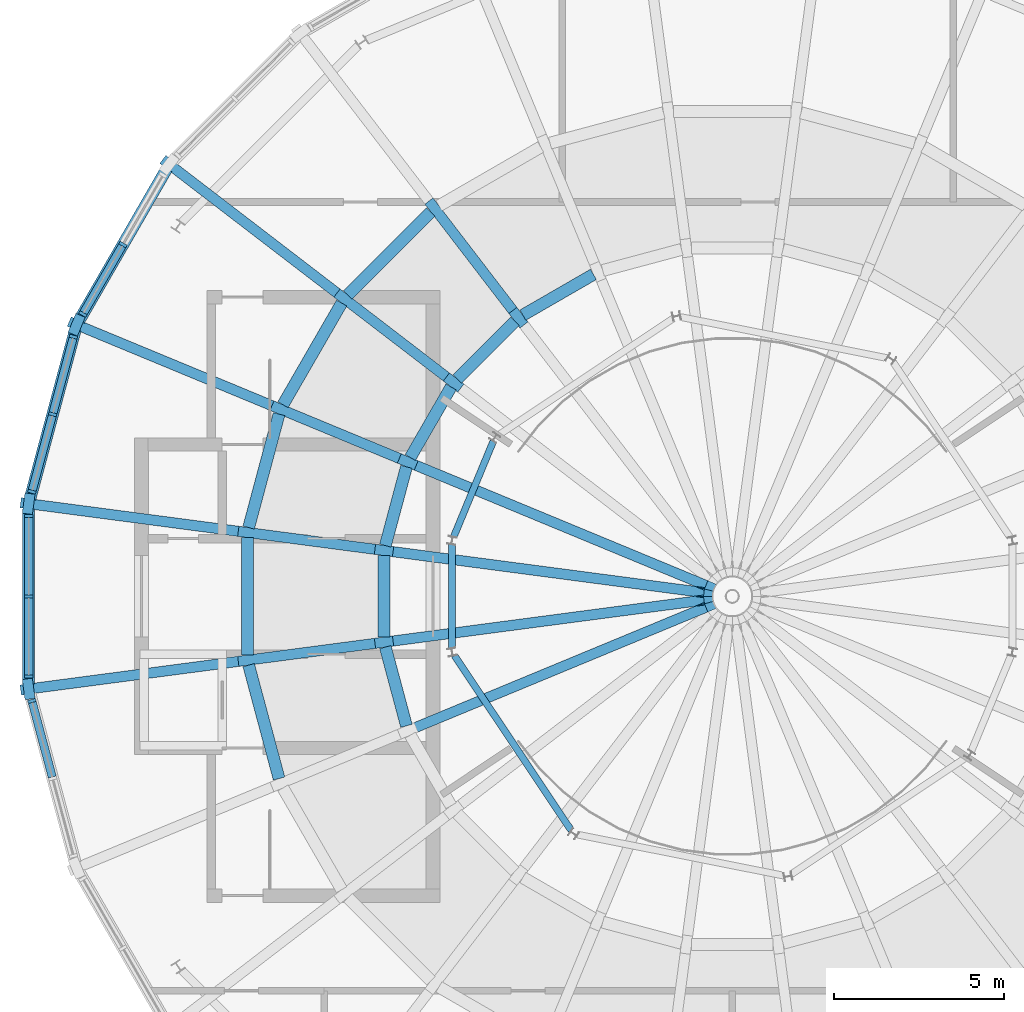
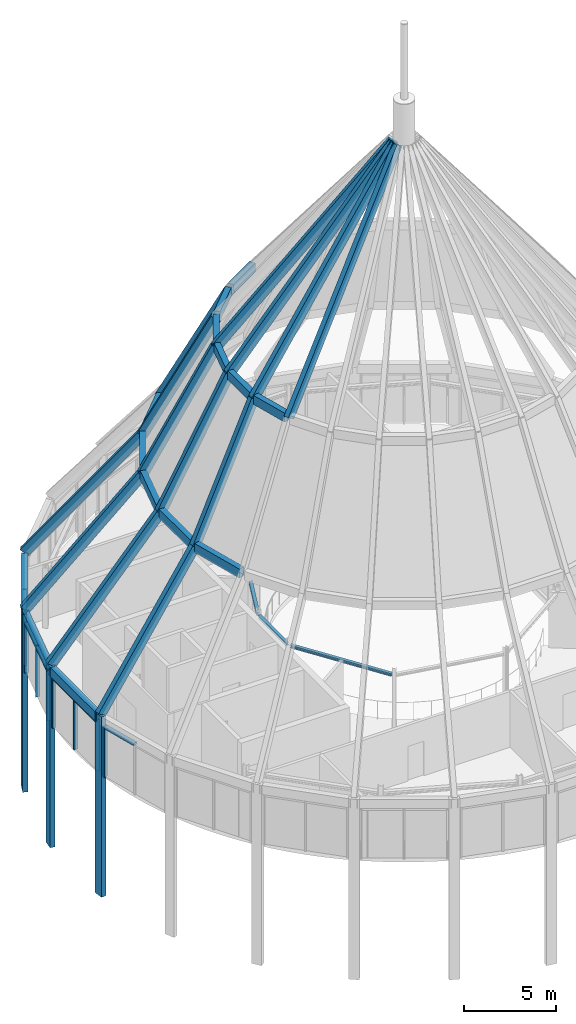
# One storey, part 6 of 16: 45 members, 3 beams, 4 elements without a shape of their own.
"""IFC4 building model written with IfcOpenShell, lengths in metres."""

from ifc_helpers import new_model, si_unit, direction, frame, origin, origin_2d, place, context, subcontext, project, spatial, rectangle, i_section, extrude, material, layer, layer_set, material_profile, profile_set, type_object, element, aggregate, save


model = new_model("IFC4")

# Units and contexts
model_context = context("Model", 3, precision=1e-05, world=origin(), true_north=direction((0.0, 1.0)))
body_context = subcontext(model_context, "Body", "Model", "MODEL_VIEW")
ifc_project = project(units=[si_unit("LENGTHUNIT", "METRE"), si_unit("AREAUNIT", "SQUARE_METRE"), si_unit("VOLUMEUNIT", "CUBIC_METRE"), si_unit("PLANEANGLEUNIT", "RADIAN"), si_unit("MASSUNIT", "GRAM", prefix="KILO")], contexts=[model_context])

# Site, building, storey
site_placement = place(None, origin())
site = spatial("IfcSite", under=ifc_project, at=site_placement, CompositionType="ELEMENT")
building_placement = place(site_placement, origin())
building = spatial("IfcBuilding", under=site, at=building_placement, Name="Maasbend Ring Residences", CompositionType="ELEMENT")
storey_placement = place(building_placement, frame((0.0, 0.0, 269.5)))
storey = spatial("IfcBuildingStorey", under=building, at=storey_placement, Name="L77", CompositionType="ELEMENT", Elevation=269.5)

# Members
ifc_material_1 = material(Name="Steel S355J2", Category="steel")
ifc_material_profile_1 = material_profile(ifc_material_1, rectangle(XDim=0.300048828125, YDim=0.60009765625, at=origin_2d()), Name="Box 300x600x12")
ifc_profile_set_1 = profile_set([ifc_material_profile_1], Name="Steel S355J2")
member_type_1 = type_object("IfcMemberType", Name="CROWN-RIB", PredefinedType="USERDEFINED", material=ifc_profile_set_1)
member_1_placement = place(storey_placement, frame((-8.756103515625, 11.411376953125, 12.427978515625), z_axis=(0.271722699578, -0.354142742802, 0.894846183573), x_axis=(0.7933756116, 0.608732403374, 0.0)))
element("IfcMember", 1, at=member_1_placement, inside=storey, type_object=member_type_1, Name="Crown frame rib", ObjectType="CROWN FRAME", PredefinedType="USERDEFINED", context=body_context, shape_type="SweptSolid", body=[
    extrude(rectangle(XDim=0.300048828125, YDim=0.60009765625, at=origin_2d()), origin(), (0.0, 0.0, 1.0), 9.08203125),
])
member_2_placement = place(storey_placement, frame((-16.557373046875, 12.704833984375, 4.0), z_axis=(0.483870756663, -0.37129355813, 0.792470936084), x_axis=(0.608768103624, 0.793348218634, 0.0)))
element("IfcMember", 2, at=member_2_placement, inside=storey, type_object=member_type_1, Name="Crown frame rib", ObjectType="CROWN FRAME", PredefinedType="USERDEFINED", context=body_context, shape_type="SweptSolid", body=[
    extrude(rectangle(XDim=0.300048828125, YDim=0.60009765625, at=origin_2d()), origin(), (0.0, 0.0, 1.0), 10.635009765625),
])
member_3_placement = place(storey_placement, frame((-11.411376953125, 8.756103515625, 12.427978515625), z_axis=(0.354142742802, -0.271722699578, 0.894846183573), x_axis=(0.608732403374, 0.7933756116, 0.0)))
element("IfcMember", 3, at=member_3_placement, inside=storey, type_object=member_type_1, Name="Crown frame rib", ObjectType="CROWN FRAME", PredefinedType="USERDEFINED", context=body_context, shape_type="SweptSolid", body=[
    extrude(rectangle(XDim=0.300048828125, YDim=0.60009765625, at=origin_2d()), origin(), (0.0, 0.0, 1.0), 9.08203125),
])
member_4_placement = place(storey_placement, frame((-19.28125, 7.986572265625, -8.0), z_axis=(0.0, 0.0, 1.0), x_axis=(-0.923879532511, 0.382683432365, 0.0)))
element("IfcMember", 4, at=member_4_placement, inside=storey, type_object=member_type_1, Name="Crown frame rib", ObjectType="CROWN FRAME", PredefinedType="USERDEFINED", context=body_context, shape_type="SweptSolid", body=[
    extrude(rectangle(XDim=0.300048828125, YDim=0.60009765625, at=origin_2d()), origin(), (0.0, 0.0, 1.0), 12.0),
])
member_5_placement = place(storey_placement, frame((-19.28125, 7.986572265625, 4.0), z_axis=(0.563468129772, -0.233399082314, 0.79248251407), x_axis=(0.382687548315, 0.923877827618, 0.0)))
element("IfcMember", 5, at=member_5_placement, inside=storey, type_object=member_type_1, Name="Crown frame rib", ObjectType="CROWN FRAME", PredefinedType="USERDEFINED", context=body_context, shape_type="SweptSolid", body=[
    extrude(rectangle(XDim=0.300048828125, YDim=0.60009765625, at=origin_2d()), origin(), (0.0, 0.0, 1.0), 10.635009765625),
])
member_6_placement = place(storey_placement, frame((-13.288818359375, 5.50439453125, 12.427978515625), z_axis=(0.412417278661, -0.170832473334, 0.894834204932), x_axis=(0.382690398388, 0.92387664706, 0.0)))
element("IfcMember", 6, at=member_6_placement, inside=storey, type_object=member_type_1, Name="Crown frame rib", ObjectType="CROWN FRAME", PredefinedType="USERDEFINED", context=body_context, shape_type="SweptSolid", body=[
    extrude(rectangle(XDim=0.300048828125, YDim=0.60009765625, at=origin_2d()), origin(), (0.0, 0.0, 1.0), 9.08203125),
])
member_7_placement = place(storey_placement, frame((-9.543212890625, 3.952880859375, 20.554931640625), z_axis=(0.560229200064, -0.232061913471, 0.795166970964), x_axis=(0.382693821485, 0.923875229128, 0.0)))
element("IfcMember", 7, at=member_7_placement, inside=storey, type_object=member_type_1, Name="Crown frame rib", ObjectType="CROWN FRAME", PredefinedType="USERDEFINED", context=body_context, shape_type="SweptSolid", body=[
    extrude(rectangle(XDim=0.300048828125, YDim=0.60009765625, at=origin_2d()), origin(), (0.0, 0.0, 1.0), 16.044921875),
])
member_8_placement = place(storey_placement, frame((-20.69140625, 2.72412109375, -8.0), z_axis=(0.0, 0.0, 1.0), x_axis=(-0.991444861374, 0.13052619222, 0.0)))
element("IfcMember", 8, at=member_8_placement, inside=storey, type_object=member_type_1, Name="Crown frame rib", ObjectType="CROWN FRAME", PredefinedType="USERDEFINED", context=body_context, shape_type="SweptSolid", body=[
    extrude(rectangle(XDim=0.300048828125, YDim=0.60009765625, at=origin_2d()), origin(), (0.0, 0.0, 1.0), 12.0),
])
member_9_placement = place(storey_placement, frame((-20.69140625, 2.72412109375, 4.0), z_axis=(0.604690035961, -0.079612203208, 0.792471991625), x_axis=(0.130531429632, 0.991444171841, 0.0)))
element("IfcMember", 9, at=member_9_placement, inside=storey, type_object=member_type_1, Name="Crown frame rib", ObjectType="CROWN FRAME", PredefinedType="USERDEFINED", context=body_context, shape_type="SweptSolid", body=[
    extrude(rectangle(XDim=0.300048828125, YDim=0.60009765625, at=origin_2d()), origin(), (0.0, 0.0, 1.0), 10.635009765625),
])
member_10_placement = place(storey_placement, frame((-14.260498046875, 1.87744140625, 12.427978515625), z_axis=(0.4425574089, -0.058253168018, 0.894846080755), x_axis=(0.130502805444, 0.991447940021, 0.0)))
element("IfcMember", 10, at=member_10_placement, inside=storey, type_object=member_type_1, Name="Crown frame rib", ObjectType="CROWN FRAME", PredefinedType="USERDEFINED", context=body_context, shape_type="SweptSolid", body=[
    extrude(rectangle(XDim=0.300048828125, YDim=0.60009765625, at=origin_2d()), origin(), (0.0, 0.0, 1.0), 9.08203125),
])
member_11_placement = place(storey_placement, frame((-10.2412109375, 1.348388671875, 20.554931640625), z_axis=(0.601204847121, -0.079154352325, 0.795164964209), x_axis=(0.130533053324, 0.991443958068, 0.0)))
element("IfcMember", 11, at=member_11_placement, inside=storey, type_object=member_type_1, Name="Crown frame rib", ObjectType="CROWN FRAME", PredefinedType="USERDEFINED", context=body_context, shape_type="SweptSolid", body=[
    extrude(rectangle(XDim=0.300048828125, YDim=0.60009765625, at=origin_2d()), origin(), (0.0, 0.0, 1.0), 16.044921875),
])
member_12_placement = place(storey_placement, frame((-20.69140625, -2.72412109375, -8.0), z_axis=(0.0, 0.0, 1.0), x_axis=(-0.991444861374, -0.13052619222, 0.0)))
element("IfcMember", 12, at=member_12_placement, inside=storey, type_object=member_type_1, Name="Crown frame rib", ObjectType="CROWN FRAME", PredefinedType="USERDEFINED", context=body_context, shape_type="SweptSolid", body=[
    extrude(rectangle(XDim=0.300048828125, YDim=0.60009765625, at=origin_2d()), origin(), (0.0, 0.0, 1.0), 12.0),
])
member_13_placement = place(storey_placement, frame((-20.69140625, -2.72412109375, 4.0), z_axis=(0.604690035961, 0.079612203208, 0.792471991625), x_axis=(-0.130531429632, 0.991444171841, 0.0)))
element("IfcMember", 13, at=member_13_placement, inside=storey, type_object=member_type_1, Name="Crown frame rib", ObjectType="CROWN FRAME", PredefinedType="USERDEFINED", context=body_context, shape_type="SweptSolid", body=[
    extrude(rectangle(XDim=0.300048828125, YDim=0.60009765625, at=origin_2d()), origin(), (0.0, 0.0, 1.0), 10.635009765625),
])
member_14_placement = place(storey_placement, frame((-14.260498046875, -1.87744140625, 12.427978515625), z_axis=(0.4425574089, 0.058253168018, 0.894846080755), x_axis=(-0.130502805444, 0.991447940021, 0.0)))
element("IfcMember", 14, at=member_14_placement, inside=storey, type_object=member_type_1, Name="Crown frame rib", ObjectType="CROWN FRAME", PredefinedType="USERDEFINED", context=body_context, shape_type="SweptSolid", body=[
    extrude(rectangle(XDim=0.300048828125, YDim=0.60009765625, at=origin_2d()), origin(), (0.0, 0.0, 1.0), 9.08203125),
])
for number, where, z_axis, x_axis, name in (
    (15, (-10.2412109375, -1.348388671875, 20.554931640625), (0.601204847121, 0.079154352325, 0.795164964209), (-0.130533053324, 0.991443958068, 0.0), "Crown frame rib"),
    (16, (-9.543212890625, -3.952880859375, 20.554931640625), (0.560229200064, 0.232061913471, 0.795166970964), (-0.382693821485, 0.923875229128, 0.0), "Crown frame rib"),
):
    element("IfcMember", number, at=place(storey_placement, frame(where, z_axis=z_axis, x_axis=x_axis)), inside=storey, type_object=member_type_1, Name=name, ObjectType="CROWN FRAME", PredefinedType="USERDEFINED", context=body_context, shape_type="SweptSolid", body=[
        extrude(rectangle(XDim=0.300048828125, YDim=0.60009765625, at=origin_2d()), origin(), (0.0, 0.0, 1.0), 16.044921875),
    ])
ifc_material_2 = material(Name="Steel S355J2", Category="steel")
ifc_material_profile_2 = material_profile(ifc_material_2, rectangle(XDim=0.35009765625, YDim=0.60009765625, at=origin_2d()), Name="Box 350x600x16")
ifc_profile_set_2 = profile_set([ifc_material_profile_2], Name="Steel S355J2")
member_type_2 = type_object("IfcMemberType", Name="CROWN-RING", PredefinedType="USERDEFINED", material=ifc_profile_set_2)
member_15_placement = place(storey_placement, frame((-16.63232421875, 12.574951171875, 3.699951171875), z_axis=(-0.499979704663, -0.866037120986, 0.0), x_axis=(0.866037120986, -0.499979704663, 0.0)))
element("IfcMember", 17, at=member_15_placement, inside=storey, type_object=member_type_2, Name="Crown frame ring beam", ObjectType="CROWN FRAME", PredefinedType="USERDEFINED", context=body_context, shape_type="SweptSolid", body=[
    extrude(rectangle(XDim=0.35009765625, YDim=0.60009765625, at=origin_2d()), origin(), (0.0, 0.0, 1.0), 5.148193359375),
])
member_16_placement = place(storey_placement, frame((-19.320068359375, 7.841796875, 3.699951171875), z_axis=(-0.258825367631, -0.96592413215, 0.0), x_axis=(0.96592413215, -0.258825367631, 0.0)))
element("IfcMember", 18, at=member_16_placement, inside=storey, type_object=member_type_2, Name="Crown frame ring beam", ObjectType="CROWN FRAME", PredefinedType="USERDEFINED", context=body_context, shape_type="SweptSolid", body=[
    extrude(rectangle(XDim=0.35009765625, YDim=0.60009765625, at=origin_2d()), origin(), (0.0, 0.0, 1.0), 5.1484375),
])
member_17_placement = place(storey_placement, frame((-20.69140625, 2.573974609375, 3.699951171875), z_axis=(0.0, -1.0, 0.0), x_axis=(1.0, 0.0, 0.0)))
element("IfcMember", 19, at=member_17_placement, inside=storey, type_object=member_type_2, Name="Crown frame ring beam", ObjectType="CROWN FRAME", PredefinedType="USERDEFINED", context=body_context, shape_type="SweptSolid", body=[
    extrude(rectangle(XDim=0.35009765625, YDim=0.60009765625, at=origin_2d()), origin(), (0.0, 0.0, 1.0), 5.14794921875),
])
for number, where, z_axis, x_axis, name in (
    (20, (-8.8623046875, 11.30517578125, 12.427978515625), (-0.707106781187, -0.707106781187, 0.0), (0.707106781187, -0.707106781187, 0.0), "Crown frame ring beam"),
    (21, (-11.486328125, 8.626220703125, 12.427978515625), (-0.499977339252, -0.866038486578, 0.0), (0.866038486578, -0.499977339252, 0.0), "Crown frame ring beam"),
    (22, (-13.32763671875, 5.359375, 12.427978515625), (-0.25877964949, -0.965936381451, 0.0), (0.965936381451, -0.25877964949, 0.0), "Crown frame ring beam"),
):
    element("IfcMember", number, at=place(storey_placement, frame(where, z_axis=z_axis, x_axis=x_axis)), inside=storey, type_object=member_type_2, Name=name, ObjectType="CROWN FRAME", PredefinedType="USERDEFINED", context=body_context, shape_type="SweptSolid", body=[
        extrude(rectangle(XDim=0.35009765625, YDim=0.60009765625, at=origin_2d()), origin(), (0.0, 0.0, 1.0), 3.454833984375),
    ])
member_18_placement = place(storey_placement, frame((-14.260498046875, 1.7275390625, 12.427978515625), z_axis=(0.0, -1.0, 0.0), x_axis=(1.0, 0.0, 0.0)))
element("IfcMember", 23, at=member_18_placement, inside=storey, type_object=member_type_2, Name="Crown frame ring beam", ObjectType="CROWN FRAME", PredefinedType="USERDEFINED", context=body_context, shape_type="SweptSolid", body=[
    extrude(rectangle(XDim=0.35009765625, YDim=0.60009765625, at=origin_2d()), origin(), (0.0, 0.0, 1.0), 3.455078125),
])
member_19_placement = place(storey_placement, frame((-14.2216796875, -2.022216796875, 12.427978515625), z_axis=(0.25877964949, -0.965936381451, 0.0), x_axis=(0.965936381451, 0.25877964949, 0.0)))
element("IfcMember", 24, at=member_19_placement, inside=storey, type_object=member_type_2, Name="Crown frame ring beam", ObjectType="CROWN FRAME", PredefinedType="USERDEFINED", context=body_context, shape_type="SweptSolid", body=[
    extrude(rectangle(XDim=0.35009765625, YDim=0.60009765625, at=origin_2d()), origin(), (0.0, 0.0, 1.0), 3.454833984375),
])
member_20_placement = place(storey_placement, frame((-4.082763671875, 9.46826171875, 20.554931640625), z_axis=(-0.866053278629, -0.499951716245, 0.0), x_axis=(0.499951716245, -0.866053278629, 0.0)))
element("IfcMember", 25, at=member_20_placement, inside=storey, type_object=member_type_2, Name="Crown frame ring beam", ObjectType="CROWN FRAME", PredefinedType="USERDEFINED", context=body_context, shape_type="SweptSolid", body=[
    extrude(rectangle(XDim=0.35009765625, YDim=0.60009765625, at=origin_2d()), origin(), (0.0, 0.0, 1.0), 2.396728515625),
])
member_21_placement = place(storey_placement, frame((-6.394287109375, 8.0888671875, 20.554931640625), z_axis=(-0.707106781187, -0.707106781187, 0.0), x_axis=(0.707106781187, -0.707106781187, 0.0)))
element("IfcMember", 26, at=member_21_placement, inside=storey, type_object=member_type_2, Name="Crown frame ring beam", ObjectType="CROWN FRAME", PredefinedType="USERDEFINED", context=body_context, shape_type="SweptSolid", body=[
    extrude(rectangle(XDim=0.35009765625, YDim=0.60009765625, at=origin_2d()), origin(), (0.0, 0.0, 1.0), 2.396484375),
])
for number, where, z_axis, x_axis, name in (
    (27, (-8.27001953125, 6.158447265625, 20.554931640625), (-0.499951716245, -0.866053278629, 0.0), (0.866053278629, -0.499951716245, 0.0), "Crown frame ring beam"),
    (28, (-9.58203125, 3.80810546875, 20.554931640625), (-0.258848105601, -0.965918039083, 0.0), (0.965918039083, -0.258848105601, 0.0), "Crown frame ring beam"),
):
    element("IfcMember", number, at=place(storey_placement, frame(where, z_axis=z_axis, x_axis=x_axis)), inside=storey, type_object=member_type_2, Name=name, ObjectType="CROWN FRAME", PredefinedType="USERDEFINED", context=body_context, shape_type="SweptSolid", body=[
        extrude(rectangle(XDim=0.35009765625, YDim=0.60009765625, at=origin_2d()), origin(), (0.0, 0.0, 1.0), 2.396728515625),
    ])
member_22_placement = place(storey_placement, frame((-10.2412109375, 1.1982421875, 20.554931640625), z_axis=(0.0, -1.0, 0.0), x_axis=(1.0, 0.0, 0.0)))
element("IfcMember", 29, at=member_22_placement, inside=storey, type_object=member_type_2, Name="Crown frame ring beam", ObjectType="CROWN FRAME", PredefinedType="USERDEFINED", context=body_context, shape_type="SweptSolid", body=[
    extrude(rectangle(XDim=0.35009765625, YDim=0.60009765625, at=origin_2d()), origin(), (0.0, 0.0, 1.0), 2.396484375),
])
member_23_placement = place(storey_placement, frame((-10.202392578125, -1.4931640625, 20.554931640625), z_axis=(0.258848105601, -0.965918039083, 0.0), x_axis=(0.965918039083, 0.258848105601, 0.0)))
element("IfcMember", 30, at=member_23_placement, inside=storey, type_object=member_type_2, Name="Crown frame ring beam", ObjectType="CROWN FRAME", PredefinedType="USERDEFINED", context=body_context, shape_type="SweptSolid", body=[
    extrude(rectangle(XDim=0.35009765625, YDim=0.60009765625, at=origin_2d()), origin(), (0.0, 0.0, 1.0), 2.396728515625),
])

# Curtain wall, members
ifc_material_3 = material(Name="Aluminium and clear glass", Category="aluminium")
ifc_layer = layer(ifc_material_3, 0.239990234375)
ifc_layer_set = layer_set([ifc_layer], Name="CW-CN")
curtain_wall_type = type_object("IfcCurtainWallType", Name="CW-CN", PredefinedType="NOTDEFINED", material=ifc_layer_set)
curtain_wall_1_placement = place(storey_placement, origin())
curtain_wall_1 = element("IfcCurtainWall", 31, at=curtain_wall_1_placement, inside=storey, type_object=curtain_wall_type, Name="Crown drum glazing 10 L77", PredefinedType="NOTDEFINED")
ifc_material_4 = material(Name="Aluminium 6063-T6", Category="aluminium")
ifc_material_profile_3 = material_profile(ifc_material_4, rectangle(XDim=0.239990234375, YDim=0.090087890625, at=origin_2d()), Name="AL 240x90")
ifc_profile_set_3 = profile_set([ifc_material_profile_3], Name="Aluminium 6063-T6")
member_type_3 = type_object("IfcMemberType", Name="CWM-CN", PredefinedType="MULLION", material=ifc_profile_set_3)
member_24_placement = place(storey_placement, frame((-17.91943359375, 10.345703125, 0.0), z_axis=(0.0, 0.0, 1.0), x_axis=(0.866025403784, -0.5, 0.0)))
member_24 = element("IfcMember", 32, at=member_24_placement, type_object=member_type_3, Name="Mullion crown cone", PredefinedType="MULLION", context=body_context, shape_type="SweptSolid", body=[
    extrude(rectangle(XDim=0.239990234375, YDim=0.090087890625, at=origin_2d()), origin(), (0.0, 0.0, 1.0), 3.39990234375),
])
member_25_placement = place(storey_placement, frame((-19.098876953125, 8.302734375, 0.0), z_axis=(0.0, 0.0, 1.0), x_axis=(0.866025403784, -0.5, 0.0)))
member_25 = element("IfcMember", 33, at=member_25_placement, type_object=member_type_3, Name="Mullion crown cone", PredefinedType="MULLION", context=body_context, shape_type="SweptSolid", body=[
    extrude(rectangle(XDim=0.239990234375, YDim=0.090087890625, at=origin_2d()), origin(), (0.0, 0.0, 1.0), 3.39990234375),
])

curtain_wall_2_placement = place(storey_placement, origin())
curtain_wall_2 = element("IfcCurtainWall", 34, at=curtain_wall_2_placement, inside=storey, type_object=curtain_wall_type, Name="Crown drum glazing 11 L77", PredefinedType="NOTDEFINED")
member_26_placement = place(storey_placement, frame((-19.375732421875, 7.634033203125, 0.0), z_axis=(0.0, 0.0, 1.0), x_axis=(0.965925826289, -0.258819045103, 0.0)))
member_26 = element("IfcMember", 35, at=member_26_placement, type_object=member_type_3, Name="Mullion crown cone", PredefinedType="MULLION", context=body_context, shape_type="SweptSolid", body=[
    extrude(rectangle(XDim=0.239990234375, YDim=0.090087890625, at=origin_2d()), origin(), (0.0, 0.0, 1.0), 3.39990234375),
])
member_27_placement = place(storey_placement, frame((-19.986328125, 5.355224609375, 0.0), z_axis=(0.0, 0.0, 1.0), x_axis=(0.965925826289, -0.258819045103, 0.0)))
member_27 = element("IfcMember", 36, at=member_27_placement, type_object=member_type_3, Name="Mullion crown cone", PredefinedType="MULLION", context=body_context, shape_type="SweptSolid", body=[
    extrude(rectangle(XDim=0.239990234375, YDim=0.090087890625, at=origin_2d()), origin(), (0.0, 0.0, 1.0), 3.39990234375),
])
member_28_placement = place(storey_placement, frame((-20.596923828125, 3.07666015625, 0.0), z_axis=(0.0, 0.0, 1.0), x_axis=(0.965925826289, -0.258819045103, 0.0)))
member_28 = element("IfcMember", 37, at=member_28_placement, type_object=member_type_3, Name="Mullion crown cone", PredefinedType="MULLION", context=body_context, shape_type="SweptSolid", body=[
    extrude(rectangle(XDim=0.239990234375, YDim=0.090087890625, at=origin_2d()), origin(), (0.0, 0.0, 1.0), 3.39990234375),
])

curtain_wall_3_placement = place(storey_placement, origin())
curtain_wall_3 = element("IfcCurtainWall", 38, at=curtain_wall_3_placement, inside=storey, type_object=curtain_wall_type, Name="Crown drum glazing 12 L77", PredefinedType="NOTDEFINED")
member_29_placement = place(storey_placement, frame((-20.69140625, 2.359130859375, 0.0), z_axis=(0.0, 0.0, 1.0), x_axis=(1.0, 0.0, 0.0)))
member_29 = element("IfcMember", 39, at=member_29_placement, type_object=member_type_3, Name="Mullion crown cone", PredefinedType="MULLION", context=body_context, shape_type="SweptSolid", body=[
    extrude(rectangle(XDim=0.239990234375, YDim=0.090087890625, at=origin_2d()), origin(), (0.0, 0.0, 1.0), 3.39990234375),
])
member_30_placement = place(storey_placement, frame((-20.69140625, 0.0, 0.0), z_axis=(0.0, 0.0, 1.0), x_axis=(1.0, 0.0, 0.0)))
member_30 = element("IfcMember", 40, at=member_30_placement, type_object=member_type_3, Name="Mullion crown cone", PredefinedType="MULLION", context=body_context, shape_type="SweptSolid", body=[
    extrude(rectangle(XDim=0.239990234375, YDim=0.090087890625, at=origin_2d()), origin(), (0.0, 0.0, 1.0), 3.39990234375),
])
member_31_placement = place(storey_placement, frame((-20.69140625, -2.359130859375, 0.0), z_axis=(0.0, 0.0, 1.0), x_axis=(1.0, 0.0, 0.0)))
member_31 = element("IfcMember", 41, at=member_31_placement, type_object=member_type_3, Name="Mullion crown cone", PredefinedType="MULLION", context=body_context, shape_type="SweptSolid", body=[
    extrude(rectangle(XDim=0.239990234375, YDim=0.090087890625, at=origin_2d()), origin(), (0.0, 0.0, 1.0), 3.39990234375),
])

# Curtain wall, member
curtain_wall_4_placement = place(storey_placement, origin())
curtain_wall_4 = element("IfcCurtainWall", 42, at=curtain_wall_4_placement, inside=storey, type_object=curtain_wall_type, Name="Crown drum glazing 13 L77", PredefinedType="NOTDEFINED")
member_32_placement = place(storey_placement, frame((-20.596923828125, -3.07666015625, 0.0), z_axis=(0.0, 0.0, 1.0), x_axis=(0.965925826289, 0.258819045103, 0.0)))
member_32 = element("IfcMember", 43, at=member_32_placement, type_object=member_type_3, Name="Mullion crown cone", PredefinedType="MULLION", context=body_context, shape_type="SweptSolid", body=[
    extrude(rectangle(XDim=0.239990234375, YDim=0.090087890625, at=origin_2d()), origin(), (0.0, 0.0, 1.0), 3.39990234375),
])

# Member
ifc_material_5 = material(Name="Aluminium 6063-T6", Category="aluminium")
ifc_material_profile_4 = material_profile(ifc_material_5, rectangle(XDim=0.239990234375, YDim=0.159912109375, at=origin_2d()), Name="AL 240x160")
ifc_profile_set_4 = profile_set([ifc_material_profile_4], Name="Aluminium 6063-T6")
member_type_4 = type_object("IfcMemberType", Name="CWT-CN", PredefinedType="USERDEFINED", material=ifc_profile_set_4)
member_33_placement = place(storey_placement, frame((-17.94189453125, 10.306640625, 3.320068359375), z_axis=(-0.49999255039, -0.866029704776, 0.0), x_axis=(0.866029704776, -0.49999255039, 0.0)))
member_33 = element("IfcMember", 44, at=member_33_placement, type_object=member_type_4, Name="Transom crown cone", ObjectType="TRANSOM", PredefinedType="USERDEFINED", context=body_context, shape_type="SweptSolid", body=[
    extrude(rectangle(XDim=0.239990234375, YDim=0.159912109375, at=origin_2d()), origin(), (0.0, 0.0, 1.0), 2.26904296875),
])

aggregate(curtain_wall_1, [member_24, member_25, member_33])

member_34_placement = place(storey_placement, frame((-19.387451171875, 7.590576171875, 3.320068359375), z_axis=(-0.258881296667, -0.965909143883, 0.0), x_axis=(0.965909143883, -0.258881296667, 0.0)))
member_34 = element("IfcMember", 45, at=member_34_placement, type_object=member_type_4, Name="Transom crown cone", ObjectType="TRANSOM", PredefinedType="USERDEFINED", context=body_context, shape_type="SweptSolid", body=[
    extrude(rectangle(XDim=0.239990234375, YDim=0.159912109375, at=origin_2d()), origin(), (0.0, 0.0, 1.0), 2.26904296875),
])

member_35_placement = place(storey_placement, frame((-19.998046875, 5.311767578125, 3.320068359375), z_axis=(-0.258881296667, -0.965909143883, 0.0), x_axis=(0.965909143883, -0.258881296667, 0.0)))
member_35 = element("IfcMember", 46, at=member_35_placement, type_object=member_type_4, Name="Transom crown cone", ObjectType="TRANSOM", PredefinedType="USERDEFINED", context=body_context, shape_type="SweptSolid", body=[
    extrude(rectangle(XDim=0.239990234375, YDim=0.159912109375, at=origin_2d()), origin(), (0.0, 0.0, 1.0), 2.26904296875),
])

aggregate(curtain_wall_2, [member_26, member_27, member_28, member_34, member_35])

member_36_placement = place(storey_placement, frame((-20.69140625, 2.31396484375, 3.320068359375), z_axis=(0.0, -1.0, 0.0), x_axis=(1.0, 0.0, 0.0)))
member_36 = element("IfcMember", 47, at=member_36_placement, type_object=member_type_4, Name="Transom crown cone", ObjectType="TRANSOM", PredefinedType="USERDEFINED", context=body_context, shape_type="SweptSolid", body=[
    extrude(rectangle(XDim=0.239990234375, YDim=0.159912109375, at=origin_2d()), origin(), (0.0, 0.0, 1.0), 2.26904296875),
])

member_37_placement = place(storey_placement, frame((-20.69140625, -0.044921875, 3.320068359375), z_axis=(0.0, -1.0, 0.0), x_axis=(1.0, 0.0, 0.0)))
member_37 = element("IfcMember", 48, at=member_37_placement, type_object=member_type_4, Name="Transom crown cone", ObjectType="TRANSOM", PredefinedType="USERDEFINED", context=body_context, shape_type="SweptSolid", body=[
    extrude(rectangle(XDim=0.239990234375, YDim=0.159912109375, at=origin_2d()), origin(), (0.0, 0.0, 1.0), 2.26904296875),
])

aggregate(curtain_wall_3, [member_29, member_30, member_31, member_36, member_37])

member_38_placement = place(storey_placement, frame((-20.58544921875, -3.1201171875, 3.320068359375), z_axis=(0.258881296667, -0.965909143883, 0.0), x_axis=(0.965909143883, 0.258881296667, 0.0)))
member_38 = element("IfcMember", 49, at=member_38_placement, type_object=member_type_4, Name="Transom crown cone", ObjectType="TRANSOM", PredefinedType="USERDEFINED", context=body_context, shape_type="SweptSolid", body=[
    extrude(rectangle(XDim=0.239990234375, YDim=0.159912109375, at=origin_2d()), origin(), (0.0, 0.0, 1.0), 2.26904296875),
])

aggregate(curtain_wall_4, [member_32, member_38])

# Beams
ifc_material_6 = material(Name="Steel S355J2", Category="steel")
ifc_material_profile_5 = material_profile(ifc_material_6, i_section(OverallWidth=0.199951171875, OverallDepth=0.18994140625, WebThickness=0.006591796875, FlangeThickness=0.010009765625, FilletRadius=0.01806640625, at=origin_2d()), Name="HEA 200")
ifc_profile_set_5 = profile_set([ifc_material_profile_5], Name="Steel S355J2")
beam_type = type_object("IfcBeamType", Name="Well edge beam HEA 200", PredefinedType="BEAM", material=ifc_profile_set_5)
for number, where, z_axis, x_axis, name in (
    (50, (-7.029296875, 4.55859375, 3.554931640625), (-0.382609241817, -0.923910259753, 0.0), (0.923910259753, -0.382609241817, 0.0), "Well edge beam"),
    (51, (-8.238525390625, 1.521484375, 3.554931640625), (0.0, -1.0, 0.0), (1.0, 0.0, 0.0), "Well edge beam"),
):
    element("IfcBeam", number, at=place(storey_placement, frame(where, z_axis=z_axis, x_axis=x_axis)), inside=storey, type_object=beam_type, Name=name, PredefinedType="BEAM", context=body_context, shape_type="SweptSolid", body=[
        extrude(i_section(OverallWidth=0.199951171875, OverallDepth=0.18994140625, WebThickness=0.006591796875, FlangeThickness=0.010009765625, FilletRadius=0.01806640625, at=origin_2d()), origin(), (0.0, 0.0, 1.0), 3.04296875),
    ])
beam_placement = place(storey_placement, frame((-8.16943359375, -1.7421875, 3.554931640625), z_axis=(0.555547729421, -0.831484648286, 0.0), x_axis=(0.831484648286, 0.555547729421, 0.0)))
element("IfcBeam", 52, at=beam_placement, inside=storey, type_object=beam_type, Name="Well edge beam", PredefinedType="BEAM", context=body_context, shape_type="SweptSolid", body=[
    extrude(i_section(OverallWidth=0.199951171875, OverallDepth=0.18994140625, WebThickness=0.006591796875, FlangeThickness=0.010009765625, FilletRadius=0.01806640625, at=origin_2d()), origin(), (0.0, 0.0, 1.0), 6.18017578125),
])

save(model, "model.ifc")
